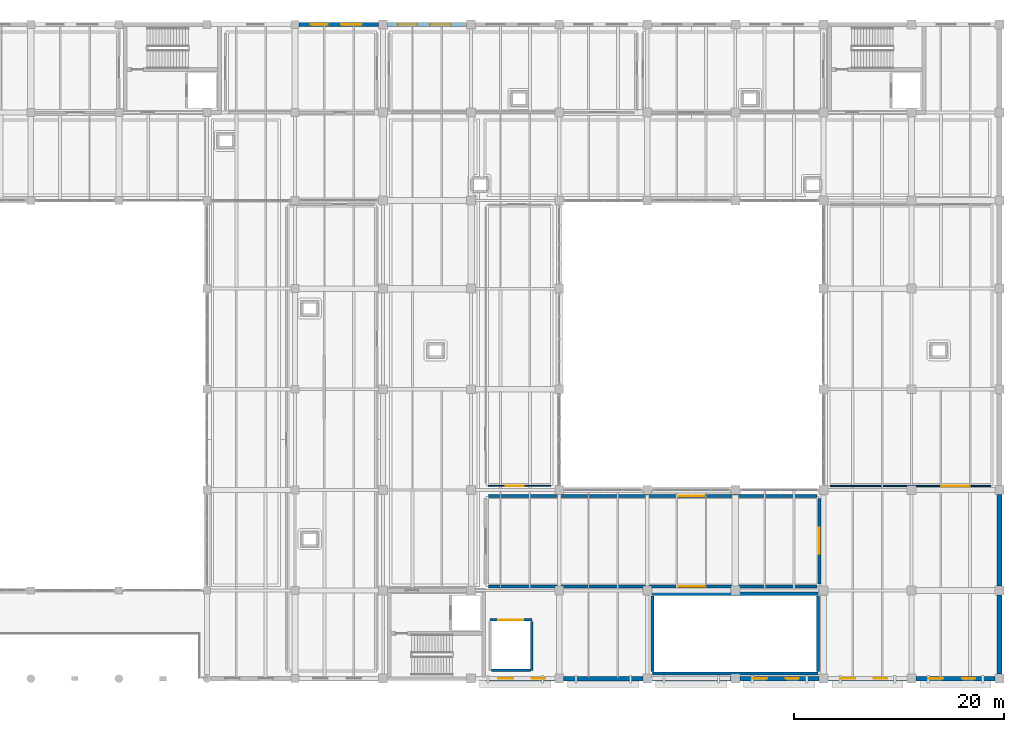
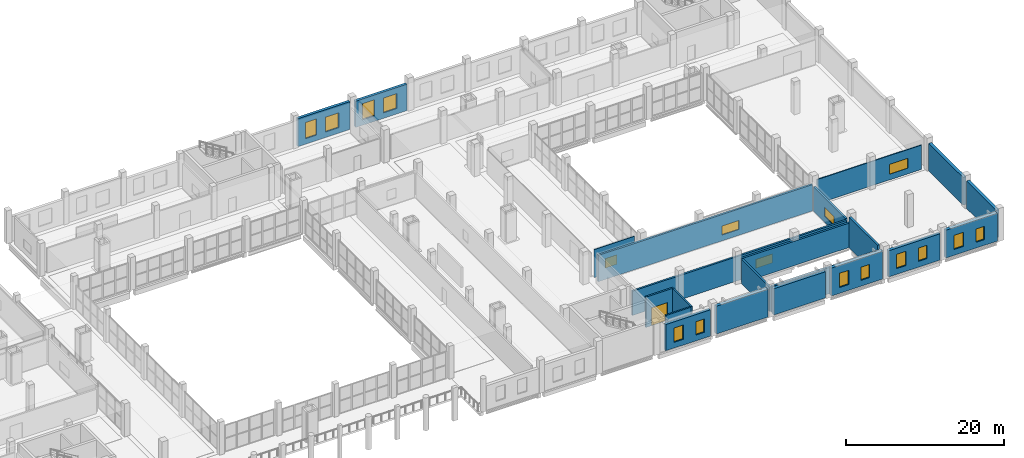
# One storey, part 50 of 66: 22 walls, 17 windows, 1 door, 18 openings.
"""IFC4 building model written with IfcOpenShell, lengths in metres."""

from ifc_helpers import new_model, si_unit, direction, frame, frame_2d, origin, place, context, subcontext, project, spatial, rectangle, extrude, material, layer, layer_set, type_object, element, fill, save


model = new_model("IFC4")

# Units and contexts
model_context = context("Model", 3, precision=1e-05, world=origin(), true_north=direction((0.0, 1.0)))
body_context = subcontext(model_context, "Body", "Model", "MODEL_VIEW")
ifc_project = project(units=[si_unit("LENGTHUNIT", "METRE"), si_unit("AREAUNIT", "SQUARE_METRE"), si_unit("VOLUMEUNIT", "CUBIC_METRE"), si_unit("PLANEANGLEUNIT", "RADIAN"), si_unit("MASSUNIT", "GRAM", prefix="KILO")], contexts=[model_context])

# Site, building, storey
site_placement = place(None, origin())
site = spatial("IfcSite", under=ifc_project, at=site_placement, CompositionType="ELEMENT")
building_placement = place(site_placement, origin())
building = spatial("IfcBuilding", under=site, at=building_placement, Name="Zulmaris Art Gallery", CompositionType="ELEMENT")
storey_placement = place(building_placement, frame((0.0, 0.0, 5.39990234375)))
storey = spatial("IfcBuildingStorey", under=building, at=storey_placement, Name="L01", CompositionType="ELEMENT", Elevation=5.39990234375)

# Wall, openings, windows
ifc_material_1 = material(Name="Omani Cream Limestone Ashlar Masonry", Category="masonry")
ifc_layer_1 = layer(ifc_material_1, 0.43994140625)
ifc_layer_set_1 = layer_set([ifc_layer_1], Name="Omani Cream Limestone Ashlar Masonry")
wall_type_1 = type_object("IfcWallType", Name="ENV-WALL-EW01", PredefinedType="SOLIDWALL", material=ifc_layer_set_1)
wall_1_placement = place(storey_placement, frame((151.412109375, 13.199951171875, 0.0), z_axis=(0.0, 0.0, 1.0), x_axis=(1.0, 0.0, 0.0)))
wall_1 = element("IfcWall", 1, at=wall_1_placement, inside=storey, type_object=wall_type_1, Name="L01 V5 South Facade Bay 1", PredefinedType="SOLIDWALL", context=body_context, shape_type="SweptSolid", body=[
    extrude(rectangle(XDim=6.560791015625, YDim=0.43994140625, at=frame_2d((3.2802734375, 0.0))), origin(), (0.0, 0.0, 1.0), 4.070068359375),
])
opening_1_placement = place(wall_1_placement, frame((1.18798828125, 0.0, 0.89990234375)))
opening_1 = element("IfcOpeningElement", 2, at=opening_1_placement, cuts=wall_1, Name="Opening W04", PredefinedType="OPENING", context=body_context, shape_type="SweptSolid", body=[
    extrude(rectangle(XDim=1.39990234375, YDim=2.199951171875, at=frame_2d((0.699951171875, 1.10009765625))), frame((0.0, 0.22998046875, 0.0), z_axis=(0.0, -1.0, 0.0), x_axis=(1.0, 0.0, 0.0)), (0.0, 0.0, 1.0), 0.4599609375),
])
opening_2_placement = place(wall_1_placement, frame((4.387939453125, 0.0, 0.89990234375)))
opening_2 = element("IfcOpeningElement", 3, at=opening_2_placement, cuts=wall_1, Name="Opening W10", PredefinedType="OPENING", context=body_context, shape_type="SweptSolid", body=[
    extrude(rectangle(XDim=1.25, YDim=2.050048828125, at=frame_2d((0.625, 1.02490234375))), frame((0.0, 0.22998046875, 0.0), z_axis=(0.0, -1.0, 0.0), x_axis=(1.0, 0.0, 0.0)), (0.0, 0.0, 1.0), 0.4599609375),
])
ifc_material_2 = material(Name="Deep-Reveal Limestone Slot Window", Category="masonry")
window_type_1 = type_object("IfcWindowType", Name="WIN-W04", PartitioningType="SINGLE_PANEL", PredefinedType="WINDOW", material=ifc_material_2)
window_1_placement = place(opening_1_placement, origin())
window_1 = element("IfcWindow", 4, at=window_1_placement, inside=storey, type_object=window_type_1, Name="L01 exterior window W04", OverallHeight=2.199951171875, OverallWidth=1.39990234375, PartitioningType="SINGLE_PANEL", PredefinedType="WINDOW", context=body_context, shape_type="SweptSolid", body=[
    extrude(rectangle(XDim=1.39990234375, YDim=2.199951171875, at=frame_2d((0.699951171875, 1.10009765625))), frame((0.0, 0.030029296875, 0.0), z_axis=(0.0, -1.0, 0.0), x_axis=(1.0, 0.0, 0.0)), (0.0, 0.0, 1.0), 0.06005859375),
])
fill(opening_1, window_1)
ifc_material_3 = material(Name="Limestone Deep-Set Lancet Window", Category="masonry")
window_type_2 = type_object("IfcWindowType", Name="WIN-W10", PartitioningType="SINGLE_PANEL", PredefinedType="WINDOW", material=ifc_material_3)
window_2_placement = place(opening_2_placement, origin())
window_2 = element("IfcWindow", 5, at=window_2_placement, inside=storey, type_object=window_type_2, Name="L01 exterior window W10", OverallHeight=2.050048828125, OverallWidth=1.25, PartitioningType="SINGLE_PANEL", PredefinedType="WINDOW", context=body_context, shape_type="SweptSolid", body=[
    extrude(rectangle(XDim=1.25, YDim=2.050048828125, at=frame_2d((0.625, 1.02490234375))), frame((0.0, 0.030029296875, 0.0), z_axis=(0.0, -1.0, 0.0), x_axis=(1.0, 0.0, 0.0)), (0.0, 0.0, 1.0), 0.06005859375),
])
fill(opening_2, window_2)

# Walls
wall_2_placement = place(storey_placement, frame((158.826904296875, 13.199951171875, 0.0), z_axis=(0.0, 0.0, 1.0), x_axis=(1.0, 0.0, 0.0)))
element("IfcWall", 6, at=wall_2_placement, inside=storey, type_object=wall_type_1, Name="L01 V5 South Facade Bay 2", PredefinedType="SOLIDWALL", context=body_context, shape_type="SweptSolid", body=[
    extrude(rectangle(XDim=7.546142578125, YDim=0.43994140625, at=frame_2d((3.77294921875, 0.0))), origin(), (0.0, 0.0, 1.0), 4.320068359375),
])
wall_3_placement = place(storey_placement, frame((167.22705078125, 13.199951171875, 0.0), z_axis=(0.0, 0.0, 1.0), x_axis=(1.0, 0.0, 0.0)))
element("IfcWall", 7, at=wall_3_placement, inside=storey, type_object=wall_type_1, Name="L01 V5 South Facade Bay 3", PredefinedType="SOLIDWALL", context=body_context, shape_type="SweptSolid", body=[
    extrude(rectangle(XDim=7.5458984375, YDim=0.43994140625, at=frame_2d((3.77294921875, 0.0))), origin(), (0.0, 0.0, 1.0), 4.070068359375),
])

# Wall, openings, windows
wall_4_placement = place(storey_placement, frame((175.626953125, 13.199951171875, 0.0), z_axis=(0.0, 0.0, 1.0), x_axis=(1.0, 0.0, 0.0)))
wall_4 = element("IfcWall", 8, at=wall_4_placement, inside=storey, type_object=wall_type_1, Name="L01 V5 South Facade Bay 4", PredefinedType="SOLIDWALL", context=body_context, shape_type="SweptSolid", body=[
    extrude(rectangle(XDim=7.546142578125, YDim=0.43994140625, at=frame_2d((3.77294921875, 0.0))), origin(), (0.0, 0.0, 1.0), 4.320068359375),
])
opening_3_placement = place(wall_4_placement, frame((1.193115234375, 0.0, 0.89990234375)))
opening_3 = element("IfcOpeningElement", 9, at=opening_3_placement, cuts=wall_4, Name="Opening W04", PredefinedType="OPENING", context=body_context, shape_type="SweptSolid", body=[
    extrude(rectangle(XDim=1.39990234375, YDim=2.199951171875, at=frame_2d((0.699951171875, 1.10009765625))), frame((0.0, 0.22998046875, 0.0), z_axis=(0.0, -1.0, 0.0), x_axis=(1.0, 0.0, 0.0)), (0.0, 0.0, 1.0), 0.4599609375),
])
opening_4_placement = place(wall_4_placement, frame((4.39306640625, 0.0, 0.89990234375)))
opening_4 = element("IfcOpeningElement", 10, at=opening_4_placement, cuts=wall_4, Name="Opening W10", PredefinedType="OPENING", context=body_context, shape_type="SweptSolid", body=[
    extrude(rectangle(XDim=1.25, YDim=2.050048828125, at=frame_2d((0.625, 1.02490234375))), frame((0.0, 0.22998046875, 0.0), z_axis=(0.0, -1.0, 0.0), x_axis=(1.0, 0.0, 0.0)), (0.0, 0.0, 1.0), 0.4599609375),
])
window_3_placement = place(opening_3_placement, origin())
window_3 = element("IfcWindow", 11, at=window_3_placement, inside=storey, type_object=window_type_1, Name="L01 exterior window W04", OverallHeight=2.199951171875, OverallWidth=1.39990234375, PartitioningType="SINGLE_PANEL", PredefinedType="WINDOW", context=body_context, shape_type="SweptSolid", body=[
    extrude(rectangle(XDim=1.39990234375, YDim=2.199951171875, at=frame_2d((0.699951171875, 1.10009765625))), frame((0.0, 0.030029296875, 0.0), z_axis=(0.0, -1.0, 0.0), x_axis=(1.0, 0.0, 0.0)), (0.0, 0.0, 1.0), 0.06005859375),
])
fill(opening_3, window_3)
window_4_placement = place(opening_4_placement, origin())
window_4 = element("IfcWindow", 12, at=window_4_placement, inside=storey, type_object=window_type_2, Name="L01 exterior window W10", OverallHeight=2.050048828125, OverallWidth=1.25, PartitioningType="SINGLE_PANEL", PredefinedType="WINDOW", context=body_context, shape_type="SweptSolid", body=[
    extrude(rectangle(XDim=1.25, YDim=2.050048828125, at=frame_2d((0.625, 1.02490234375))), frame((0.0, 0.030029296875, 0.0), z_axis=(0.0, -1.0, 0.0), x_axis=(1.0, 0.0, 0.0)), (0.0, 0.0, 1.0), 0.06005859375),
])
fill(opening_4, window_4)

wall_5_placement = place(storey_placement, frame((184.027099609375, 13.199951171875, 0.0), z_axis=(0.0, 0.0, 1.0), x_axis=(1.0, 0.0, 0.0)))
wall_5 = element("IfcWall", 13, at=wall_5_placement, inside=storey, type_object=wall_type_1, Name="L01 V5 South Facade Bay 5", PredefinedType="SOLIDWALL", context=body_context, shape_type="SweptSolid", body=[
    extrude(rectangle(XDim=7.5458984375, YDim=0.43994140625, at=frame_2d((3.77294921875, 0.0))), origin(), (0.0, 0.0, 1.0), 4.070068359375),
])
opening_5_placement = place(wall_5_placement, frame((1.193115234375, 0.0, 0.89990234375)))
opening_5 = element("IfcOpeningElement", 14, at=opening_5_placement, cuts=wall_5, Name="Opening W04", PredefinedType="OPENING", context=body_context, shape_type="SweptSolid", body=[
    extrude(rectangle(XDim=1.39990234375, YDim=2.199951171875, at=frame_2d((0.699951171875, 1.10009765625))), frame((0.0, 0.22998046875, 0.0), z_axis=(0.0, -1.0, 0.0), x_axis=(1.0, 0.0, 0.0)), (0.0, 0.0, 1.0), 0.4599609375),
])
opening_6_placement = place(wall_5_placement, frame((4.39306640625, 0.0, 0.89990234375)))
opening_6 = element("IfcOpeningElement", 15, at=opening_6_placement, cuts=wall_5, Name="Opening W10", PredefinedType="OPENING", context=body_context, shape_type="SweptSolid", body=[
    extrude(rectangle(XDim=1.25, YDim=2.050048828125, at=frame_2d((0.625, 1.02490234375))), frame((0.0, 0.22998046875, 0.0), z_axis=(0.0, -1.0, 0.0), x_axis=(1.0, 0.0, 0.0)), (0.0, 0.0, 1.0), 0.4599609375),
])
window_5_placement = place(opening_5_placement, origin())
window_5 = element("IfcWindow", 16, at=window_5_placement, inside=storey, type_object=window_type_1, Name="L01 exterior window W04", OverallHeight=2.199951171875, OverallWidth=1.39990234375, PartitioningType="SINGLE_PANEL", PredefinedType="WINDOW", context=body_context, shape_type="SweptSolid", body=[
    extrude(rectangle(XDim=1.39990234375, YDim=2.199951171875, at=frame_2d((0.699951171875, 1.10009765625))), frame((0.0, 0.030029296875, 0.0), z_axis=(0.0, -1.0, 0.0), x_axis=(1.0, 0.0, 0.0)), (0.0, 0.0, 1.0), 0.06005859375),
])
fill(opening_5, window_5)
window_6_placement = place(opening_6_placement, origin())
window_6 = element("IfcWindow", 17, at=window_6_placement, inside=storey, type_object=window_type_2, Name="L01 exterior window W10", OverallHeight=2.050048828125, OverallWidth=1.25, PartitioningType="SINGLE_PANEL", PredefinedType="WINDOW", context=body_context, shape_type="SweptSolid", body=[
    extrude(rectangle(XDim=1.25, YDim=2.050048828125, at=frame_2d((0.625, 1.02490234375))), frame((0.0, 0.030029296875, 0.0), z_axis=(0.0, -1.0, 0.0), x_axis=(1.0, 0.0, 0.0)), (0.0, 0.0, 1.0), 0.06005859375),
])
fill(opening_6, window_6)

wall_6_placement = place(storey_placement, frame((192.427001953125, 13.199951171875, 0.0), z_axis=(0.0, 0.0, 1.0), x_axis=(1.0, 0.0, 0.0)))
wall_6 = element("IfcWall", 18, at=wall_6_placement, inside=storey, type_object=wall_type_1, Name="L01 V5 South Facade Bay 6", PredefinedType="SOLIDWALL", context=body_context, shape_type="SweptSolid", body=[
    extrude(rectangle(XDim=7.5458984375, YDim=0.43994140625, at=frame_2d((3.77294921875, 0.0))), origin(), (0.0, 0.0, 1.0), 4.320068359375),
])
opening_7_placement = place(wall_6_placement, frame((1.193115234375, 0.0, 0.89990234375)))
opening_7 = element("IfcOpeningElement", 19, at=opening_7_placement, cuts=wall_6, Name="Opening W04", PredefinedType="OPENING", context=body_context, shape_type="SweptSolid", body=[
    extrude(rectangle(XDim=1.39990234375, YDim=2.199951171875, at=frame_2d((0.699951171875, 1.10009765625))), frame((0.0, 0.22998046875, 0.0), z_axis=(0.0, -1.0, 0.0), x_axis=(1.0, 0.0, 0.0)), (0.0, 0.0, 1.0), 0.4599609375),
])
opening_8_placement = place(wall_6_placement, frame((4.39306640625, 0.0, 0.89990234375)))
opening_8 = element("IfcOpeningElement", 20, at=opening_8_placement, cuts=wall_6, Name="Opening W10", PredefinedType="OPENING", context=body_context, shape_type="SweptSolid", body=[
    extrude(rectangle(XDim=1.25, YDim=2.050048828125, at=frame_2d((0.625, 1.02490234375))), frame((0.0, 0.22998046875, 0.0), z_axis=(0.0, -1.0, 0.0), x_axis=(1.0, 0.0, 0.0)), (0.0, 0.0, 1.0), 0.4599609375),
])
window_7_placement = place(opening_7_placement, origin())
window_7 = element("IfcWindow", 21, at=window_7_placement, inside=storey, type_object=window_type_1, Name="L01 exterior window W04", OverallHeight=2.199951171875, OverallWidth=1.39990234375, PartitioningType="SINGLE_PANEL", PredefinedType="WINDOW", context=body_context, shape_type="SweptSolid", body=[
    extrude(rectangle(XDim=1.39990234375, YDim=2.199951171875, at=frame_2d((0.699951171875, 1.10009765625))), frame((0.0, 0.030029296875, 0.0), z_axis=(0.0, -1.0, 0.0), x_axis=(1.0, 0.0, 0.0)), (0.0, 0.0, 1.0), 0.06005859375),
])
fill(opening_7, window_7)
window_8_placement = place(opening_8_placement, origin())
window_8 = element("IfcWindow", 22, at=window_8_placement, inside=storey, type_object=window_type_2, Name="L01 exterior window W10", OverallHeight=2.050048828125, OverallWidth=1.25, PartitioningType="SINGLE_PANEL", PredefinedType="WINDOW", context=body_context, shape_type="SweptSolid", body=[
    extrude(rectangle(XDim=1.25, YDim=2.050048828125, at=frame_2d((0.625, 1.02490234375))), frame((0.0, 0.030029296875, 0.0), z_axis=(0.0, -1.0, 0.0), x_axis=(1.0, 0.0, 0.0)), (0.0, 0.0, 1.0), 0.06005859375),
])
fill(opening_8, window_8)

# Walls
wall_7_placement = place(storey_placement, frame((200.39990234375, 13.626953125, 0.0), z_axis=(0.0, 0.0, 1.0), x_axis=(0.0, 1.0, 0.0)))
element("IfcWall", 23, at=wall_7_placement, inside=storey, type_object=wall_type_1, Name="L01 V5 East Infill Party Wall", PredefinedType="SOLIDWALL", context=body_context, shape_type="SweptSolid", body=[
    extrude(rectangle(XDim=7.546142578125, YDim=0.43994140625, at=frame_2d((3.77294921875, 0.0))), origin(), (0.0, 0.0, 1.0), 4.27001953125),
])
wall_8_placement = place(storey_placement, frame((200.39990234375, 22.027099609375, 0.0), z_axis=(0.0, 0.0, 1.0), x_axis=(0.0, 1.0, 0.0)))
element("IfcWall", 24, at=wall_8_placement, inside=storey, type_object=wall_type_1, Name="L01 V5 East Infill Party Wall", PredefinedType="SOLIDWALL", context=body_context, shape_type="SweptSolid", body=[
    extrude(rectangle(XDim=8.745849609375, YDim=0.43994140625, at=frame_2d((4.373046875, 0.0))), origin(), (0.0, 0.0, 1.0), 4.27001953125),
])

# Wall, openings, windows
ifc_material_4 = material(Name="Omani Desert Rose Limestone Cladding Wall", Category="masonry")
ifc_layer_2 = layer(ifc_material_4, 0.389892578125)
ifc_layer_set_2 = layer_set([ifc_layer_2], Name="Omani Desert Rose Limestone Cladding Wall")
wall_type_2 = type_object("IfcWallType", Name="ENV-WALL-EW02", PredefinedType="SOLIDWALL", material=ifc_layer_set_2)
wall_9_placement = place(storey_placement, frame((133.576904296875, 75.60009765625, 0.0), z_axis=(0.0, 0.0, 1.0), x_axis=(1.0, 0.0, 0.0)))
wall_9 = element("IfcWall", 25, at=wall_9_placement, inside=storey, type_object=wall_type_2, Name="L01 V4 North Alley Limestone Facade (133.2..141.6)", PredefinedType="SOLIDWALL", context=body_context, shape_type="SweptSolid", body=[
    extrude(rectangle(XDim=7.59619140625, YDim=0.389892578125, at=frame_2d((3.798095703125, 0.0))), origin(), (0.0, 0.0, 1.0), 4.320068359375),
])
opening_9_placement = place(wall_9_placement, frame((1.14306640625, 0.0, 0.85009765625)))
opening_9 = element("IfcOpeningElement", 26, at=opening_9_placement, cuts=wall_9, Name="Opening W01", PredefinedType="OPENING", context=body_context, shape_type="SweptSolid", body=[
    extrude(rectangle(XDim=1.60009765625, YDim=2.5, at=frame_2d((0.800048828125, 1.25))), frame((0.0, 0.204833984375, 0.0), z_axis=(0.0, -1.0, 0.0), x_axis=(1.0, 0.0, 0.0)), (0.0, 0.0, 1.0), 0.409912109375),
])
opening_10_placement = place(wall_9_placement, frame((4.04296875, 0.0, 0.85009765625)))
opening_10 = element("IfcOpeningElement", 27, at=opening_10_placement, cuts=wall_9, Name="Opening W08", PredefinedType="OPENING", context=body_context, shape_type="SweptSolid", body=[
    extrude(rectangle(XDim=1.949951171875, YDim=2.300048828125, at=frame_2d((0.97509765625, 1.14990234375))), frame((0.0, 0.204833984375, 0.0), z_axis=(0.0, -1.0, 0.0), x_axis=(1.0, 0.0, 0.0)), (0.0, 0.0, 1.0), 0.409912109375),
])
ifc_material_5 = material(Name="Double-Glazed Solar-Control Low-E Window", Category="glass")
window_type_3 = type_object("IfcWindowType", Name="WIN-W01", PartitioningType="SINGLE_PANEL", PredefinedType="WINDOW", material=ifc_material_5)
window_9_placement = place(opening_9_placement, origin())
window_9 = element("IfcWindow", 28, at=window_9_placement, inside=storey, type_object=window_type_3, Name="L01 exterior window W01", OverallHeight=2.5, OverallWidth=1.60009765625, PartitioningType="SINGLE_PANEL", PredefinedType="WINDOW", context=body_context, shape_type="SweptSolid", body=[
    extrude(rectangle(XDim=1.60009765625, YDim=2.5, at=frame_2d((0.800048828125, 1.25))), frame((0.0, 0.030029296875, 0.0), z_axis=(0.0, -1.0, 0.0), x_axis=(1.0, 0.0, 0.0)), (0.0, 0.0, 1.0), 0.06005859375),
])
fill(opening_9, window_9)
ifc_material_6 = material(Name="Curatorial North Studio Window", Category="glass")
window_type_4 = type_object("IfcWindowType", Name="WIN-W08", PartitioningType="SINGLE_PANEL", PredefinedType="WINDOW", material=ifc_material_6)
window_10_placement = place(opening_10_placement, origin())
window_10 = element("IfcWindow", 29, at=window_10_placement, inside=storey, type_object=window_type_4, Name="L01 exterior window W08", OverallHeight=2.300048828125, OverallWidth=1.949951171875, PartitioningType="SINGLE_PANEL", PredefinedType="WINDOW", context=body_context, shape_type="SweptSolid", body=[
    extrude(rectangle(XDim=1.949951171875, YDim=2.300048828125, at=frame_2d((0.97509765625, 1.14990234375))), frame((0.0, 0.030029296875, 0.0), z_axis=(0.0, -1.0, 0.0), x_axis=(1.0, 0.0, 0.0)), (0.0, 0.0, 1.0), 0.06005859375),
])
fill(opening_10, window_10)

wall_10_placement = place(storey_placement, frame((142.027099609375, 75.60009765625, 0.0), z_axis=(0.0, 0.0, 1.0), x_axis=(1.0, 0.0, 0.0)))
wall_10 = element("IfcWall", 30, at=wall_10_placement, inside=storey, type_object=wall_type_2, Name="L01 V5 North Studio Daylight Facade Bay 1", PredefinedType="SOLIDWALL", context=body_context, shape_type="SweptSolid", body=[
    extrude(rectangle(XDim=7.5458984375, YDim=0.389892578125, at=frame_2d((3.77294921875, 0.0))), origin(), (0.0, 0.0, 1.0), 4.070068359375),
])
opening_11_placement = place(wall_10_placement, frame((0.992919921875, 0.0, 0.85009765625)))
opening_11 = element("IfcOpeningElement", 31, at=opening_11_placement, cuts=wall_10, Name="Opening W02", PredefinedType="OPENING", context=body_context, shape_type="SweptSolid", body=[
    extrude(rectangle(XDim=1.800048828125, YDim=2.5, at=frame_2d((0.89990234375, 1.25))), frame((0.0, 0.204833984375, 0.0), z_axis=(0.0, -1.0, 0.0), x_axis=(1.0, 0.0, 0.0)), (0.0, 0.0, 1.0), 0.409912109375),
])
opening_12_placement = place(wall_10_placement, frame((4.093017578125, 0.0, 0.85009765625)))
opening_12 = element("IfcOpeningElement", 32, at=opening_12_placement, cuts=wall_10, Name="Opening W08", PredefinedType="OPENING", context=body_context, shape_type="SweptSolid", body=[
    extrude(rectangle(XDim=1.949951171875, YDim=2.300048828125, at=frame_2d((0.97509765625, 1.14990234375))), frame((0.0, 0.204833984375, 0.0), z_axis=(0.0, -1.0, 0.0), x_axis=(1.0, 0.0, 0.0)), (0.0, 0.0, 1.0), 0.409912109375),
])
window_type_5 = type_object("IfcWindowType", Name="WIN-W02", PartitioningType="SINGLE_PANEL", PredefinedType="WINDOW", material=ifc_material_5)
window_11_placement = place(opening_11_placement, origin())
window_11 = element("IfcWindow", 33, at=window_11_placement, inside=storey, type_object=window_type_5, Name="L01 exterior window W02", OverallHeight=2.5, OverallWidth=1.800048828125, PartitioningType="SINGLE_PANEL", PredefinedType="WINDOW", context=body_context, shape_type="SweptSolid", body=[
    extrude(rectangle(XDim=1.800048828125, YDim=2.5, at=frame_2d((0.89990234375, 1.25))), frame((0.0, 0.030029296875, 0.0), z_axis=(0.0, -1.0, 0.0), x_axis=(1.0, 0.0, 0.0)), (0.0, 0.0, 1.0), 0.06005859375),
])
fill(opening_11, window_11)
window_12_placement = place(opening_12_placement, origin())
window_12 = element("IfcWindow", 34, at=window_12_placement, inside=storey, type_object=window_type_4, Name="L01 exterior window W08", OverallHeight=2.300048828125, OverallWidth=1.949951171875, PartitioningType="SINGLE_PANEL", PredefinedType="WINDOW", context=body_context, shape_type="SweptSolid", body=[
    extrude(rectangle(XDim=1.949951171875, YDim=2.300048828125, at=frame_2d((0.97509765625, 1.14990234375))), frame((0.0, 0.030029296875, 0.0), z_axis=(0.0, -1.0, 0.0), x_axis=(1.0, 0.0, 0.0)), (0.0, 0.0, 1.0), 0.06005859375),
])
fill(opening_12, window_12)

# Wall, opening, window
ifc_material_7 = material(Name="Acoustic Office Gypsum Partition", Category="gypsum")
ifc_layer_3 = layer(ifc_material_7, 0.10009765625)
ifc_layer_set_3 = layer_set([ifc_layer_3], Name="Acoustic Office Gypsum Partition")
wall_type_3 = type_object("IfcWallType", Name="IWALL-PW01", PredefinedType="PARTITIONING", material=ifc_layer_set_3)
wall_11_placement = place(storey_placement, frame((151.6298828125, 31.580078125, 0.0), z_axis=(0.0, 0.0, 1.0), x_axis=(1.0, 0.0, 0.0)))
wall_11 = element("IfcWall", 35, at=wall_11_placement, inside=storey, type_object=wall_type_3, Name="Framed Works Rack Art Store S partition", PredefinedType="PARTITIONING", context=body_context, shape_type="SweptSolid", body=[
    extrude(rectangle(XDim=5.940185546875, YDim=0.10009765625, at=frame_2d((2.97021484375, 0.0))), origin(), (0.0, 0.0, 1.0), 4.340087890625),
])
opening_13_placement = place(wall_11_placement, frame((1.64990234375, 0.0, 0.89990234375)))
opening_13 = element("IfcOpeningElement", 36, at=opening_13_placement, cuts=wall_11, Name="Opening IW06", PredefinedType="OPENING", context=body_context, shape_type="SweptSolid", body=[
    extrude(rectangle(XDim=1.719970703125, YDim=1.4599609375, at=frame_2d((0.85986328125, 0.72998046875))), frame((0.0, 0.06005859375, 0.0), z_axis=(0.0, -1.0, 0.0), x_axis=(1.0, 0.0, 0.0)), (0.0, 0.0, 1.0), 0.1201171875),
])
ifc_material_8 = material(Name="Library Reading Room Internal Glazing", Category="glass")
window_type_6 = type_object("IfcWindowType", Name="IWIN-IW06", PartitioningType="SINGLE_PANEL", PredefinedType="WINDOW", material=ifc_material_8)
window_13_placement = place(opening_13_placement, origin())
window_13 = element("IfcWindow", 37, at=window_13_placement, inside=storey, type_object=window_type_6, Name="L01 interior observation window IW06", OverallHeight=1.4599609375, OverallWidth=1.719970703125, PartitioningType="SINGLE_PANEL", PredefinedType="WINDOW", context=body_context, shape_type="SweptSolid", body=[
    extrude(rectangle(XDim=1.719970703125, YDim=1.4599609375, at=frame_2d((0.85986328125, 0.72998046875))), frame((0.0, 0.030029296875, 0.0), z_axis=(0.0, -1.0, 0.0), x_axis=(1.0, 0.0, 0.0)), (0.0, 0.0, 1.0), 0.06005859375),
])
fill(opening_13, window_13)

ifc_material_9 = material(Name="Light Gallery Backing Partition", Category="gypsum")
ifc_layer_4 = layer(ifc_material_9, 0.1298828125)
ifc_layer_set_4 = layer_set([ifc_layer_4], Name="Light Gallery Backing Partition")
wall_type_4 = type_object("IfcWallType", Name="IWALL-PW03", PredefinedType="PARTITIONING", material=ifc_layer_set_4)
wall_12_placement = place(storey_placement, frame((184.22998046875, 31.580078125, 0.0), z_axis=(0.0, 0.0, 1.0), x_axis=(1.0, 0.0, 0.0)))
wall_12 = element("IfcWall", 38, at=wall_12_placement, inside=storey, type_object=wall_type_4, Name="Rolled Tapestry & Carpet Art Store S partition", PredefinedType="PARTITIONING", context=body_context, shape_type="SweptSolid", body=[
    extrude(rectangle(XDim=15.340087890625, YDim=0.1298828125, at=frame_2d((7.669921875, 0.0))), origin(), (0.0, 0.0, 1.0), 3.77001953125),
])
opening_14_placement = place(wall_12_placement, frame((10.64990234375, 0.0, 0.89990234375)))
opening_14 = element("IfcOpeningElement", 39, at=opening_14_placement, cuts=wall_12, Name="Opening IW07", PredefinedType="OPENING", context=body_context, shape_type="SweptSolid", body=[
    extrude(rectangle(XDim=2.679931640625, YDim=1.52001953125, at=frame_2d((1.33984375, 0.760009765625))), frame((0.0, 0.074951171875, 0.0), z_axis=(0.0, -1.0, 0.0), x_axis=(1.0, 0.0, 0.0)), (0.0, 0.0, 1.0), 0.14990234375),
])
ifc_material_10 = material(Name="Artists Salon Overlook Glazing", Category="glass")
window_type_7 = type_object("IfcWindowType", Name="IWIN-IW07", PartitioningType="SINGLE_PANEL", PredefinedType="WINDOW", material=ifc_material_10)
window_14_placement = place(opening_14_placement, origin())
window_14 = element("IfcWindow", 40, at=window_14_placement, inside=storey, type_object=window_type_7, Name="L01 interior observation window IW07", OverallHeight=1.52001953125, OverallWidth=2.679931640625, PartitioningType="SINGLE_PANEL", PredefinedType="WINDOW", context=body_context, shape_type="SweptSolid", body=[
    extrude(rectangle(XDim=2.679931640625, YDim=1.52001953125, at=frame_2d((1.33984375, 0.760009765625))), frame((0.0, 0.030029296875, 0.0), z_axis=(0.0, -1.0, 0.0), x_axis=(1.0, 0.0, 0.0)), (0.0, 0.0, 1.0), 0.06005859375),
])
fill(opening_14, window_14)

# Wall, opening, door
ifc_material_11 = material(Name="Core Lobby Fire-Resisting Masonry Wall", Category="masonry")
ifc_layer_5 = layer(ifc_material_11, 0.235107421875)
ifc_layer_set_5 = layer_set([ifc_layer_5], Name="Core Lobby Fire-Resisting Masonry Wall")
wall_type_5 = type_object("IfcWallType", Name="IWALL-PW10", PredefinedType="PARTITIONING", material=ifc_layer_set_5)
wall_13_placement = place(storey_placement, frame((151.800048828125, 18.800048828125, 0.0), z_axis=(0.0, 0.0, 1.0), x_axis=(1.0, 0.0, 0.0)))
wall_13 = element("IfcWall", 41, at=wall_13_placement, inside=storey, type_object=wall_type_5, Name="Goods Lift L01 north shaft wall", PredefinedType="PARTITIONING", context=body_context, shape_type="SweptSolid", body=[
    extrude(rectangle(XDim=4.0, YDim=0.235107421875, at=frame_2d((2.0, 0.0))), origin(), (0.0, 0.0, 1.0), 4.72021484375),
])
opening_15_placement = place(wall_13_placement, frame((0.800048828125, 0.0, 0.0)))
opening_15 = element("IfcOpeningElement", 42, at=opening_15_placement, cuts=wall_13, Name="Opening LD03", PredefinedType="OPENING", context=body_context, shape_type="SweptSolid", body=[
    extrude(rectangle(XDim=2.360107421875, YDim=2.780029296875, at=frame_2d((1.18017578125, 1.39013671875))), frame((0.0, 0.12744140625, 0.0), z_axis=(0.0, -1.0, 0.0), x_axis=(1.0, 0.0, 0.0)), (0.0, 0.0, 1.0), 0.255126953125),
])
ifc_material_12 = material(Name="Goods Lift Oversize Sliding Landing Door", Category="steel")
door_type = type_object("IfcDoorType", Name="IDOOR-LD03", OperationType="SLIDING_TO_LEFT", PredefinedType="DOOR", material=ifc_material_12)
door_placement = place(opening_15_placement, origin())
door = element("IfcDoor", 43, at=door_placement, inside=storey, type_object=door_type, Name="Goods Lift LF-G1 L01 Sliding Landing Door", OperationType="SLIDING_TO_LEFT", OverallHeight=2.780029296875, OverallWidth=2.360107421875, PredefinedType="DOOR", context=body_context, shape_type="SweptSolid", body=[
    extrude(rectangle(XDim=2.360107421875, YDim=2.780029296875, at=frame_2d((1.18017578125, 1.39013671875))), frame((0.0, 0.02490234375, 0.0), z_axis=(0.0, -1.0, 0.0), x_axis=(1.0, 0.0, 0.0)), (0.0, 0.0, 1.0), 0.050048828125),
])
fill(opening_15, door)

# Walls
wall_14_placement = place(storey_placement, frame((155.800048828125, 14.0, 0.0), z_axis=(0.0, 0.0, 1.0), x_axis=(0.0, 1.0, 0.0)))
element("IfcWall", 44, at=wall_14_placement, inside=storey, type_object=wall_type_5, Name="Goods Lift L01 east shaft wall", PredefinedType="PARTITIONING", context=body_context, shape_type="SweptSolid", body=[
    extrude(rectangle(XDim=4.659912109375, YDim=0.235107421875, at=frame_2d((2.330078125, 0.0))), origin(), (0.0, 0.0, 1.0), 4.72021484375),
])
wall_15_placement = place(storey_placement, frame((151.93994140625, 14.0, 0.0), z_axis=(0.0, 0.0, 1.0), x_axis=(1.0, 0.0, 0.0)))
element("IfcWall", 45, at=wall_15_placement, inside=storey, type_object=wall_type_5, Name="Goods Lift L01 south shaft wall", PredefinedType="PARTITIONING", context=body_context, shape_type="SweptSolid", body=[
    extrude(rectangle(XDim=3.719970703125, YDim=0.235107421875, at=frame_2d((1.85986328125, 0.0))), origin(), (0.0, 0.0, 1.0), 4.72021484375),
])

# Wall, opening, window
ifc_material_13 = material(Name="Plant & Substation Acoustic Blockwork Wall", Category="masonry")
ifc_layer_6 = layer(ifc_material_13, 0.27001953125)
ifc_layer_set_6 = layer_set([ifc_layer_6], Name="Plant & Substation Acoustic Blockwork Wall")
wall_type_6 = type_object("IfcWallType", Name="IWALL-PW12", PredefinedType="PARTITIONING", material=ifc_layer_set_6)
wall_16_placement = place(storey_placement, frame((151.6298828125, 21.97998046875, 0.0), z_axis=(0.0, 0.0, 1.0), x_axis=(1.0, 0.0, 0.0)))
wall_16 = element("IfcWall", 46, at=wall_16_placement, inside=storey, type_object=wall_type_6, Name="Climate-Controlled Art Store 2 S partition", PredefinedType="PARTITIONING", context=body_context, shape_type="SweptSolid", body=[
    extrude(rectangle(XDim=31.340087890625, YDim=0.27001953125, at=frame_2d((15.669921875, 0.0))), origin(), (0.0, 0.0, 1.0), 3.77001953125),
])
opening_16_placement = place(wall_16_placement, frame((18.14990234375, 0.0, 0.89990234375)))
opening_16 = element("IfcOpeningElement", 47, at=opening_16_placement, cuts=wall_16, Name="Opening IW05", PredefinedType="OPENING", context=body_context, shape_type="SweptSolid", body=[
    extrude(rectangle(XDim=2.4599609375, YDim=1.3798828125, at=frame_2d((1.22998046875, 0.68994140625))), frame((0.0, 0.14501953125, 0.0), z_axis=(0.0, -1.0, 0.0), x_axis=(1.0, 0.0, 0.0)), (0.0, 0.0, 1.0), 0.2900390625),
])
ifc_material_14 = material(Name="Workshop Safety Observation Window", Category="glass")
window_type_8 = type_object("IfcWindowType", Name="IWIN-IW05", PartitioningType="SINGLE_PANEL", PredefinedType="WINDOW", material=ifc_material_14)
window_15_placement = place(opening_16_placement, origin())
window_15 = element("IfcWindow", 48, at=window_15_placement, inside=storey, type_object=window_type_8, Name="L01 interior observation window IW05", OverallHeight=1.3798828125, OverallWidth=2.4599609375, PartitioningType="SINGLE_PANEL", PredefinedType="WINDOW", context=body_context, shape_type="SweptSolid", body=[
    extrude(rectangle(XDim=2.4599609375, YDim=1.3798828125, at=frame_2d((1.22998046875, 0.68994140625))), frame((0.0, 0.030029296875, 0.0), z_axis=(0.0, -1.0, 0.0), x_axis=(1.0, 0.0, 0.0)), (0.0, 0.0, 1.0), 0.06005859375),
])
fill(opening_16, window_15)

wall_17_placement = place(storey_placement, frame((151.6298828125, 30.6201171875, 0.0), z_axis=(0.0, 0.0, 1.0), x_axis=(1.0, 0.0, 0.0)))
wall_17 = element("IfcWall", 49, at=wall_17_placement, inside=storey, type_object=wall_type_6, Name="Climate-Controlled Art Store 2 N partition", PredefinedType="PARTITIONING", context=body_context, shape_type="SweptSolid", body=[
    extrude(rectangle(XDim=31.340087890625, YDim=0.27001953125, at=frame_2d((15.669921875, 0.0))), origin(), (0.0, 0.0, 1.0), 4.070068359375),
])
opening_17_placement = place(wall_17_placement, frame((18.14990234375, 0.0, 0.89990234375)))
opening_17 = element("IfcOpeningElement", 50, at=opening_17_placement, cuts=wall_17, Name="Opening IW05", PredefinedType="OPENING", context=body_context, shape_type="SweptSolid", body=[
    extrude(rectangle(XDim=2.4599609375, YDim=1.3798828125, at=frame_2d((1.22998046875, 0.68994140625))), frame((0.0, 0.14501953125, 0.0), z_axis=(0.0, -1.0, 0.0), x_axis=(1.0, 0.0, 0.0)), (0.0, 0.0, 1.0), 0.2900390625),
])
window_16_placement = place(opening_17_placement, origin())
window_16 = element("IfcWindow", 51, at=window_16_placement, inside=storey, type_object=window_type_8, Name="L01 interior observation window IW05", OverallHeight=1.3798828125, OverallWidth=2.4599609375, PartitioningType="SINGLE_PANEL", PredefinedType="WINDOW", context=body_context, shape_type="SweptSolid", body=[
    extrude(rectangle(XDim=2.4599609375, YDim=1.3798828125, at=frame_2d((1.22998046875, 0.68994140625))), frame((0.0, 0.030029296875, 0.0), z_axis=(0.0, -1.0, 0.0), x_axis=(1.0, 0.0, 0.0)), (0.0, 0.0, 1.0), 0.06005859375),
])
fill(opening_17, window_16)

wall_18_placement = place(storey_placement, frame((183.219970703125, 22.22998046875, 0.0), z_axis=(0.0, 0.0, 1.0), x_axis=(0.0, 1.0, 0.0)))
wall_18 = element("IfcWall", 52, at=wall_18_placement, inside=storey, type_object=wall_type_6, Name="Climate-Controlled Art Store 2 E partition", PredefinedType="PARTITIONING", context=body_context, shape_type="SweptSolid", body=[
    extrude(rectangle(XDim=8.14013671875, YDim=0.27001953125, at=frame_2d((4.070068359375, 0.0))), origin(), (0.0, 0.0, 1.0), 3.77001953125),
])
opening_18_placement = place(wall_18_placement, frame((2.89990234375, 0.0, 0.89990234375)))
opening_18 = element("IfcOpeningElement", 53, at=opening_18_placement, cuts=wall_18, Name="Opening IW05", PredefinedType="OPENING", context=body_context, shape_type="SweptSolid", body=[
    extrude(rectangle(XDim=2.4599609375, YDim=1.3798828125, at=frame_2d((1.22998046875, 0.68994140625))), frame((0.0, 0.14501953125, 0.0), z_axis=(0.0, -1.0, 0.0), x_axis=(1.0, 0.0, 0.0)), (0.0, 0.0, 1.0), 0.2900390625),
])
window_17_placement = place(opening_18_placement, origin())
window_17 = element("IfcWindow", 54, at=window_17_placement, inside=storey, type_object=window_type_8, Name="L01 interior observation window IW05", OverallHeight=1.3798828125, OverallWidth=2.4599609375, PartitioningType="SINGLE_PANEL", PredefinedType="WINDOW", context=body_context, shape_type="SweptSolid", body=[
    extrude(rectangle(XDim=2.4599609375, YDim=1.3798828125, at=frame_2d((1.22998046875, 0.68994140625))), frame((0.0, 0.030029296875, 0.0), z_axis=(0.0, -1.0, 0.0), x_axis=(1.0, 0.0, 0.0)), (0.0, 0.0, 1.0), 0.06005859375),
])
fill(opening_18, window_17)

# Walls
ifc_material_15 = material(Name="Loading Bay Fire Compartment Wall", Category="masonry")
ifc_layer_7 = layer(ifc_material_15, 0.294921875)
ifc_layer_set_7 = layer_set([ifc_layer_7], Name="Loading Bay Fire Compartment Wall")
wall_type_7 = type_object("IfcWallType", Name="IWALL-PW13", PredefinedType="PARTITIONING", material=ifc_layer_set_7)
wall_19_placement = place(storey_placement, frame((167.300048828125, 13.699951171875, 0.0), z_axis=(0.0, 0.0, 1.0), x_axis=(1.0, 0.0, 0.0)))
element("IfcWall", 55, at=wall_19_placement, inside=storey, type_object=wall_type_7, Name="L01 Loading Bay Upper Fire Wall S", PredefinedType="PARTITIONING", context=body_context, shape_type="SweptSolid", body=[
    extrude(rectangle(XDim=15.800048828125, YDim=0.294921875, at=frame_2d((7.89990234375, 0.0))), origin(), (0.0, 0.0, 1.0), 4.070068359375),
])
wall_20_placement = place(storey_placement, frame((167.300048828125, 21.300048828125, 0.0), z_axis=(0.0, 0.0, 1.0), x_axis=(1.0, 0.0, 0.0)))
element("IfcWall", 56, at=wall_20_placement, inside=storey, type_object=wall_type_7, Name="L01 Loading Bay Upper Fire Wall N", PredefinedType="PARTITIONING", context=body_context, shape_type="SweptSolid", body=[
    extrude(rectangle(XDim=15.800048828125, YDim=0.294921875, at=frame_2d((7.89990234375, 0.0))), origin(), (0.0, 0.0, 1.0), 3.77001953125),
])
wall_21_placement = place(storey_placement, frame((167.300048828125, 13.89990234375, 0.0), z_axis=(0.0, 0.0, 1.0), x_axis=(0.0, 1.0, 0.0)))
element("IfcWall", 57, at=wall_21_placement, inside=storey, type_object=wall_type_7, Name="L01 Loading Bay Upper Fire Wall W", PredefinedType="PARTITIONING", context=body_context, shape_type="SweptSolid", body=[
    extrude(rectangle(XDim=7.2001953125, YDim=0.294921875, at=frame_2d((3.60009765625, 0.0))), origin(), (0.0, 0.0, 1.0), 3.77001953125),
])
wall_22_placement = place(storey_placement, frame((183.10009765625, 13.89990234375, 0.0), z_axis=(0.0, 0.0, 1.0), x_axis=(0.0, 1.0, 0.0)))
element("IfcWall", 58, at=wall_22_placement, inside=storey, type_object=wall_type_7, Name="L01 Loading Bay Upper Fire Wall E", PredefinedType="PARTITIONING", context=body_context, shape_type="SweptSolid", body=[
    extrude(rectangle(XDim=7.2001953125, YDim=0.294921875, at=frame_2d((3.60009765625, 0.0))), origin(), (0.0, 0.0, 1.0), 4.72021484375),
])

save(model, "model.ifc")
